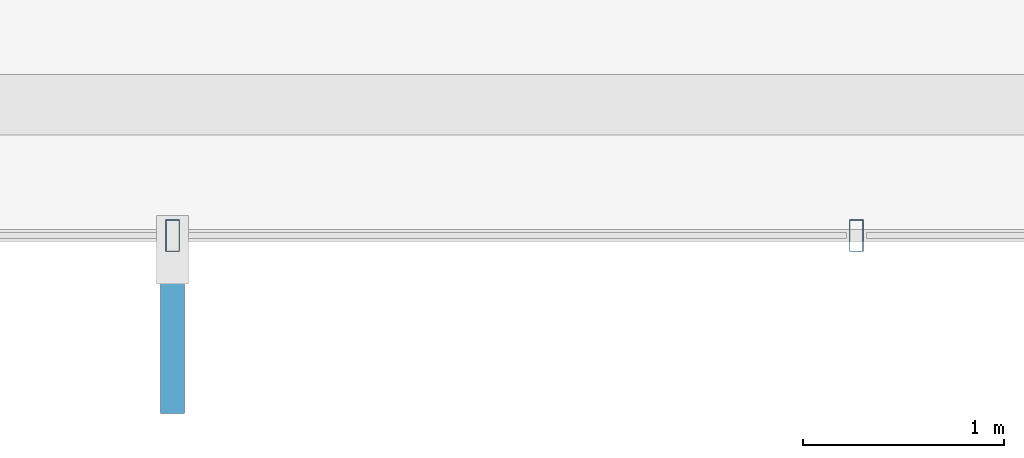
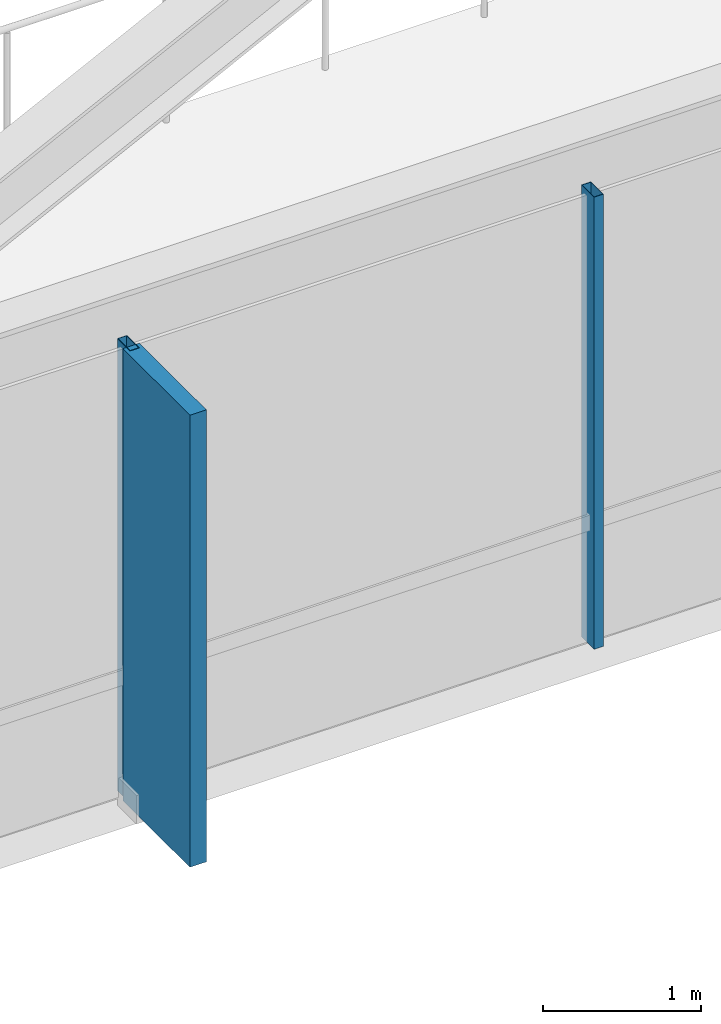
# One storey, part 6 of 29: 3 members, 1 element without a shape of its own.
"""IFC4 building model written with IfcOpenShell, lengths in metres."""

from ifc_helpers import new_model, si_unit, direction, frame, origin, origin_2d, place, context, subcontext, project, spatial, rectangle, hollow_rectangle, extrude, material, layer, layer_set, material_profile, profile_set, type_object, element, aggregate, save


model = new_model("IFC4")

# Units and contexts
model_context = context("Model", 3, precision=1e-05, world=origin(), true_north=direction((0.0, 1.0)))
body_context = subcontext(model_context, "Body", "Model", "MODEL_VIEW")
ifc_project = project(units=[si_unit("LENGTHUNIT", "METRE"), si_unit("AREAUNIT", "SQUARE_METRE"), si_unit("VOLUMEUNIT", "CUBIC_METRE"), si_unit("PLANEANGLEUNIT", "RADIAN"), si_unit("MASSUNIT", "GRAM", prefix="KILO")], contexts=[model_context])

# Site, building, storey
site_placement = place(None, origin())
site = spatial("IfcSite", under=ifc_project, at=site_placement, CompositionType="ELEMENT")
building_placement = place(site_placement, origin())
building = spatial("IfcBuilding", under=site, at=building_placement, Name="Zarrinselat Tower", CompositionType="ELEMENT")
storey_placement = place(building_placement, frame((0.0, 0.0, 134.639892578125)))
storey = spatial("IfcBuildingStorey", under=building, at=storey_placement, Name="L32", CompositionType="ELEMENT", Elevation=134.639892578125)

# Curtain wall, members
ifc_material_1 = material(Name="Extruded Aluminium Alloy EN AW-6063 T6", Category="aluminium")
ifc_layer = layer(ifc_material_1, 0.175048828125)
ifc_layer_set = layer_set([ifc_layer], Name="Extruded Aluminium Alloy EN AW-6063 T6")
curtain_wall_type = type_object("IfcCurtainWallType", Name="CWS-HTL", PredefinedType="NOTDEFINED", material=ifc_layer_set)
curtain_wall_placement = place(storey_placement, origin())
curtain_wall = element("IfcCurtainWall", 1, at=curtain_wall_placement, inside=storey, type_object=curtain_wall_type, Name="L32 Unitised Curtain Wall CW-L32-E04", PredefinedType="NOTDEFINED")
ifc_material_2 = material(Name="Extruded Aluminium Alloy EN AW-6063 T6", Category="aluminium")
ifc_material_profile_1 = material_profile(ifc_material_2, hollow_rectangle(XDim=0.070068359375, YDim=0.159912109375, WallThickness=0.00390625, at=origin_2d()), Name="RHS 160x70x4")
ifc_profile_set_1 = profile_set([ifc_material_profile_1], Name="Extruded Aluminium Alloy EN AW-6063 T6")
member_type_1 = type_object("IfcMemberType", Name="MEM-CW-MUL2", PredefinedType="MULLION", material=ifc_profile_set_1)
member_1_placement = place(storey_placement, frame((33.302001953125, 17.94580078125, 0.0), z_axis=(0.0, 0.0, 1.0), x_axis=(1.0, 0.0, 0.0)))
member_1 = element("IfcMember", 2, at=member_1_placement, type_object=member_type_1, Name="CW-L32-E04 Mullion 1", PredefinedType="MULLION", context=body_context, shape_type="SweptSolid", body=[
    extrude(hollow_rectangle(XDim=0.070068359375, YDim=0.159912109375, WallThickness=0.00390625, at=origin_2d()), origin(), (0.0, 0.0, 1.0), 3.5),
])
member_2_placement = place(storey_placement, frame((36.70068359375, 17.94580078125, 0.0), z_axis=(0.0, 0.0, 1.0), x_axis=(1.0, 0.0, 0.0)))
member_2 = element("IfcMember", 3, at=member_2_placement, type_object=member_type_1, Name="CW-L32-E04 Mullion 2", PredefinedType="MULLION", context=body_context, shape_type="SweptSolid", body=[
    extrude(hollow_rectangle(XDim=0.070068359375, YDim=0.159912109375, WallThickness=0.00390625, at=origin_2d()), origin(), (0.0, 0.0, 1.0), 3.5),
])
ifc_material_3 = material(Name="Honed Cream Travertine Stone", Category="masonry")
ifc_material_profile_2 = material_profile(ifc_material_3, rectangle(XDim=0.1201171875, YDim=0.85009765625, at=origin_2d()), Name="FIN 850x120")
ifc_profile_set_2 = profile_set([ifc_material_profile_2], Name="Honed Cream Travertine Stone")
member_type_2 = type_object("IfcMemberType", Name="MEM-STONE-FIN", PredefinedType="USERDEFINED", material=ifc_profile_set_2)
member_3_placement = place(storey_placement, frame((33.302001953125, 17.48583984375, 0.0), z_axis=(0.0, 0.0, 1.0), x_axis=(-1.0, 0.0, 0.0)))
member_3 = element("IfcMember", 4, at=member_3_placement, type_object=member_type_2, Name="L32 Stone Shading Fin CW-L32-E04-01", ObjectType="FIN", PredefinedType="USERDEFINED", context=body_context, shape_type="SweptSolid", body=[
    extrude(rectangle(XDim=0.1201171875, YDim=0.85009765625, at=origin_2d()), origin(), (0.0, 0.0, 1.0), 3.5),
])
aggregate(curtain_wall, [member_1, member_3, member_2])

save(model, "model.ifc")
